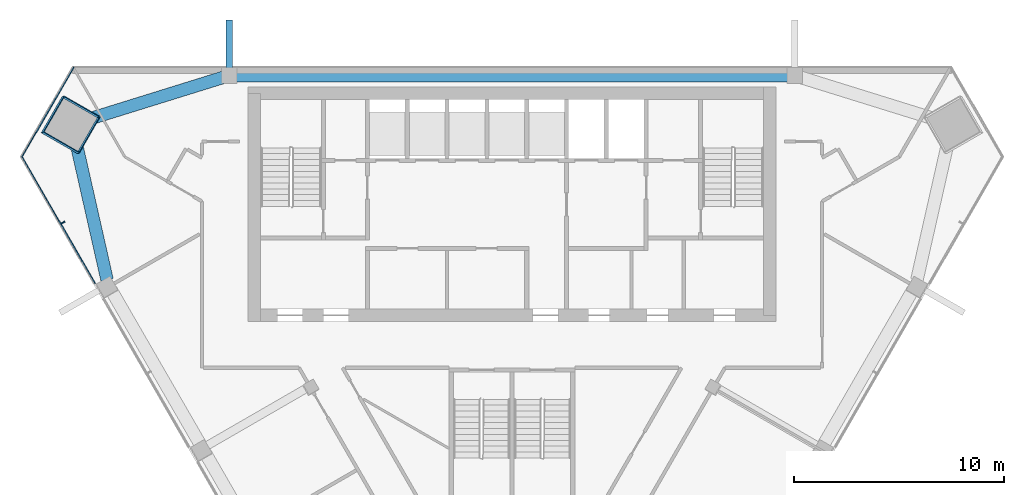
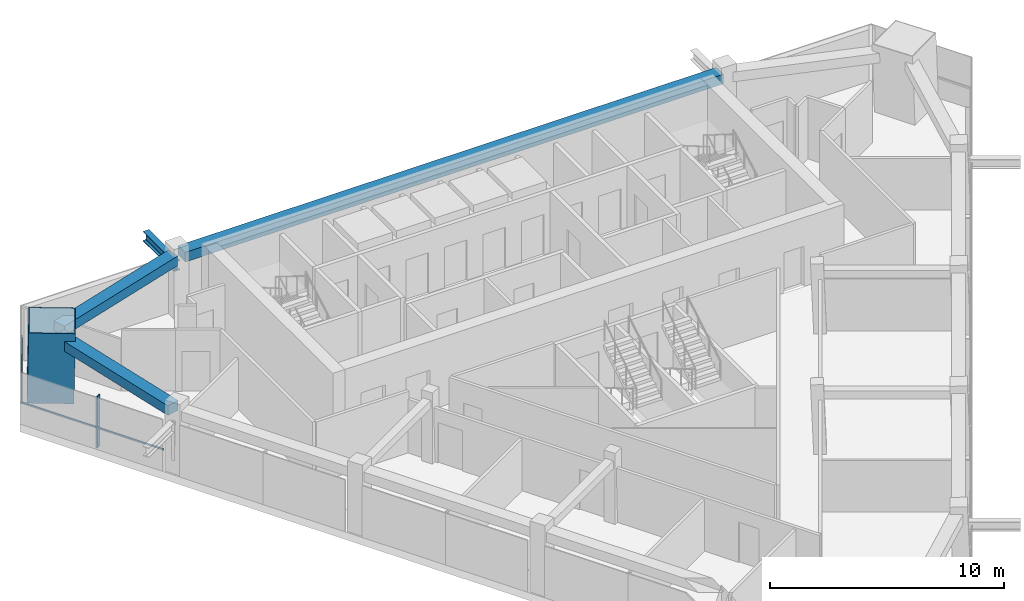
# One storey, part 5 of 12: 5 members, 3 beams, 2 elements without a shape of their own.
"""IFC4 building model written with IfcOpenShell, lengths in metres."""

from ifc_helpers import new_model, si_unit, direction, frame, origin, origin_2d, place, context, subcontext, project, spatial, rectangle, hollow_rectangle, i_section, extrude, material, layer, layer_set, material_profile, profile_set, type_object, element, aggregate, save


model = new_model("IFC4")

# Units and contexts
model_context = context("Model", 3, precision=1e-05, world=origin(), true_north=direction((0.0, 1.0)))
body_context = subcontext(model_context, "Body", "Model", "MODEL_VIEW")
ifc_project = project(units=[si_unit("LENGTHUNIT", "METRE"), si_unit("AREAUNIT", "SQUARE_METRE"), si_unit("VOLUMEUNIT", "CUBIC_METRE"), si_unit("PLANEANGLEUNIT", "RADIAN"), si_unit("MASSUNIT", "GRAM", prefix="KILO")], contexts=[model_context])

# Site, building, storey
site_placement = place(None, origin())
site = spatial("IfcSite", under=ifc_project, at=site_placement, CompositionType="ELEMENT")
building_placement = place(site_placement, origin())
building = spatial("IfcBuilding", under=site, at=building_placement, Name="Altiplano Prism Tower", CompositionType="ELEMENT")
storey_placement = place(building_placement, frame((0.0, 0.0, 260.800048828125)))
storey = spatial("IfcBuildingStorey", under=building, at=storey_placement, Name="L67", CompositionType="ELEMENT", Elevation=260.800048828125)

# Member
ifc_material_1 = material(Name="Steel S355", Category="steel")
ifc_material_profile_1 = material_profile(ifc_material_1, i_section(OverallWidth=0.300048828125, OverallDepth=0.5, WebThickness=0.014404296875, FlangeThickness=0.028076171875, FilletRadius=0.027099609375, at=origin_2d()), Name="Brace bracket HEB 500")
ifc_profile_set_1 = profile_set([ifc_material_profile_1], Name="Steel S355")
member_type_1 = type_object("IfcMemberType", Name="Brace bracket HEB 500", PredefinedType="STRUT", material=ifc_profile_set_1)
member_1_placement = place(storey_placement, frame((71.5, 104.550048828125, 2.39599609375), z_axis=(0.0, 1.0, 0.0), x_axis=(-1.0, 0.0, 0.0)))
element("IfcMember", 1, at=member_1_placement, inside=storey, type_object=member_type_1, Name="Brace bracket 0.264.4", PredefinedType="STRUT", context=body_context, shape_type="SweptSolid", body=[
    extrude(i_section(OverallWidth=0.300048828125, OverallDepth=0.5, WebThickness=0.014404296875, FlangeThickness=0.028076171875, FilletRadius=0.027099609375, at=origin_2d()), origin(), (0.0, 0.0, 1.0), 2.64990234375),
])

# Curtain wall, member
ifc_material_2 = material(Name="Aluminium and glass", Category="aluminium")
ifc_layer = layer(ifc_material_2, 0.303955078125)
ifc_layer_set = layer_set([ifc_layer], Name="Aluminium and glass")
curtain_wall_type = type_object("IfcCurtainWallType", Name="CW2 lounge-band unitised glazing", PredefinedType="NOTDEFINED", material=ifc_layer_set)
curtain_wall_1_placement = place(storey_placement, origin())
curtain_wall_1 = element("IfcCurtainWall", 2, at=curtain_wall_1_placement, inside=storey, type_object=curtain_wall_type, Name="CW2 curtain wall south-west face L67", PredefinedType="NOTDEFINED")
ifc_material_3 = material(Name="Aluminium", Category="aluminium")
ifc_material_profile_2 = material_profile(ifc_material_3, rectangle(XDim=0.199951171875, YDim=0.06005859375, at=origin_2d()), Name="CW2 mullion 60 x 200")
ifc_profile_set_2 = profile_set([ifc_material_profile_2], Name="Aluminium")
member_type_2 = type_object("IfcMemberType", Name="CW2 mullion 60 x 200", PredefinedType="MULLION", material=ifc_profile_set_2)
member_2_placement = place(storey_placement, frame((63.564453125, 97.531005859375, 0.0), z_axis=(0.0, 0.0, 1.0), x_axis=(0.866025400163, 0.500000006273, 0.0)))
member_2 = element("IfcMember", 3, at=member_2_placement, type_object=member_type_2, Name="CW2 mullion", PredefinedType="MULLION", context=body_context, shape_type="SweptSolid", body=[
    extrude(rectangle(XDim=0.199951171875, YDim=0.06005859375, at=origin_2d()), origin(), (0.0, 0.0, 1.0), 2.699951171875),
])

curtain_wall_2_placement = place(storey_placement, origin())
curtain_wall_2 = element("IfcCurtainWall", 4, at=curtain_wall_2_placement, inside=storey, type_object=curtain_wall_type, Name="CW2 curtain wall north-west chamfer L67", PredefinedType="NOTDEFINED")
ifc_material_profile_3 = material_profile(ifc_material_3, rectangle(XDim=0.06005859375, YDim=0.080078125, at=origin_2d()), Name="CW2 transom 80 x 60")
ifc_profile_set_3 = profile_set([ifc_material_profile_3], Name="Aluminium")
member_type_3 = type_object("IfcMemberType", Name="CW2 transom 80 x 60", PredefinedType="USERDEFINED", material=ifc_profile_set_3)
member_3_placement = place(storey_placement, frame((64.08203125, 104.962890625, 1.099853515625), z_axis=(-0.500029517631, -0.866008361102, 0.0), x_axis=(0.866008361102, -0.500029517631, 0.0)))
member_3 = element("IfcMember", 5, at=member_3_placement, type_object=member_type_3, Name="CW2 transom", ObjectType="TRANSOM", PredefinedType="USERDEFINED", context=body_context, shape_type="SweptSolid", body=[
    extrude(rectangle(XDim=0.06005859375, YDim=0.080078125, at=origin_2d()), origin(), (0.0, 0.0, 1.0), 5.001220703125),
])
aggregate(curtain_wall_2, [member_3])

# Member
member_4_placement = place(storey_placement, frame((61.581298828125, 100.705810546875, 1.099853515625), z_axis=(0.500021169622, -0.866013181153, 0.0), x_axis=(0.866013181153, 0.500021169622, 0.0)))
member_4 = element("IfcMember", 6, at=member_4_placement, type_object=member_type_3, Name="CW2 transom", ObjectType="TRANSOM", PredefinedType="USERDEFINED", context=body_context, shape_type="SweptSolid", body=[
    extrude(rectangle(XDim=0.06005859375, YDim=0.080078125, at=origin_2d()), origin(), (0.0, 0.0, 1.0), 7.027587890625),
])

aggregate(curtain_wall_1, [member_2, member_4])

# Beams
ifc_material_4 = material(Name="Concrete C60/75", Category="concrete")
ifc_material_profile_4 = material_profile(ifc_material_4, rectangle(XDim=0.60009765625, YDim=0.5, at=origin_2d()), Name="Edge beam 600x500")
ifc_profile_set_4 = profile_set([ifc_material_profile_4], Name="Concrete C60/75")
beam_type = type_object("IfcBeamType", Name="Edge beam 600x500", PredefinedType="SPANDREL", material=ifc_profile_set_4)
beam_placement = place(storey_placement, frame((98.27001953125, 104.550048828125, 2.949951171875), z_axis=(-1.0, 0.0, 0.0), x_axis=(0.0, -1.0, 0.0)))
element("IfcBeam", 7, at=beam_placement, inside=storey, type_object=beam_type, Name="Edge beam P01-P04 L68", PredefinedType="SPANDREL", context=body_context, shape_type="SweptSolid", body=[
    extrude(rectangle(XDim=0.60009765625, YDim=0.5, at=origin_2d()), origin(), (0.0, 0.0, 1.0), 26.5400390625),
])
for number, where, z_axis, x_axis, name in (
    (8, (71.2646484375, 104.476806640625, 2.949951171875), (-0.954945264965, -0.296781975397, 0.0), (0.296781975397, -0.954945264965, 0.0), "Edge beam P04-M0 L68"),
    (9, (64.094970703125, 101.77880859375, 2.949951171875), (0.220455479806, -0.975397037838, 0.0), (0.975397037838, 0.220455479806, 0.0), "Edge beam M0-P11 L68"),
):
    element("IfcBeam", number, at=place(storey_placement, frame(where, z_axis=z_axis, x_axis=x_axis)), inside=storey, type_object=beam_type, Name=name, PredefinedType="SPANDREL", context=body_context, shape_type="SweptSolid", body=[
        extrude(rectangle(XDim=0.60009765625, YDim=0.5, at=origin_2d()), origin(), (0.0, 0.0, 1.0), 7.161865234375),
    ])

# Member
ifc_material_5 = material(Name="Steel S460", Category="steel")
ifc_material_profile_5 = material_profile(ifc_material_5, hollow_rectangle(XDim=2.0, YDim=2.0, WallThickness=0.0400390625, at=origin_2d()), Name="Mega column tube 2000")
ifc_profile_set_5 = profile_set([ifc_material_profile_5], Name="Steel S460")
member_type_4 = type_object("IfcMemberType", Name="Mega column tube 2000", PredefinedType="POST", material=ifc_profile_set_5)
member_5_placement = place(storey_placement, frame((63.8935546875, 102.184326171875, 0.0), z_axis=(0.028335986449, 0.009287153453, 0.999555311452), x_axis=(-0.866551221007, 0.498689979124, 0.019932036842)))
element("IfcMember", 10, at=member_5_placement, inside=storey, type_object=member_type_4, Name="Mega column tube M0 L67", PredefinedType="POST", context=body_context, shape_type="SweptSolid", body=[
    extrude(hollow_rectangle(XDim=2.0, YDim=2.0, WallThickness=0.0400390625, at=origin_2d()), origin(), (0.0, 0.0, 1.0), 3.6015625),
])

save(model, "model.ifc")
